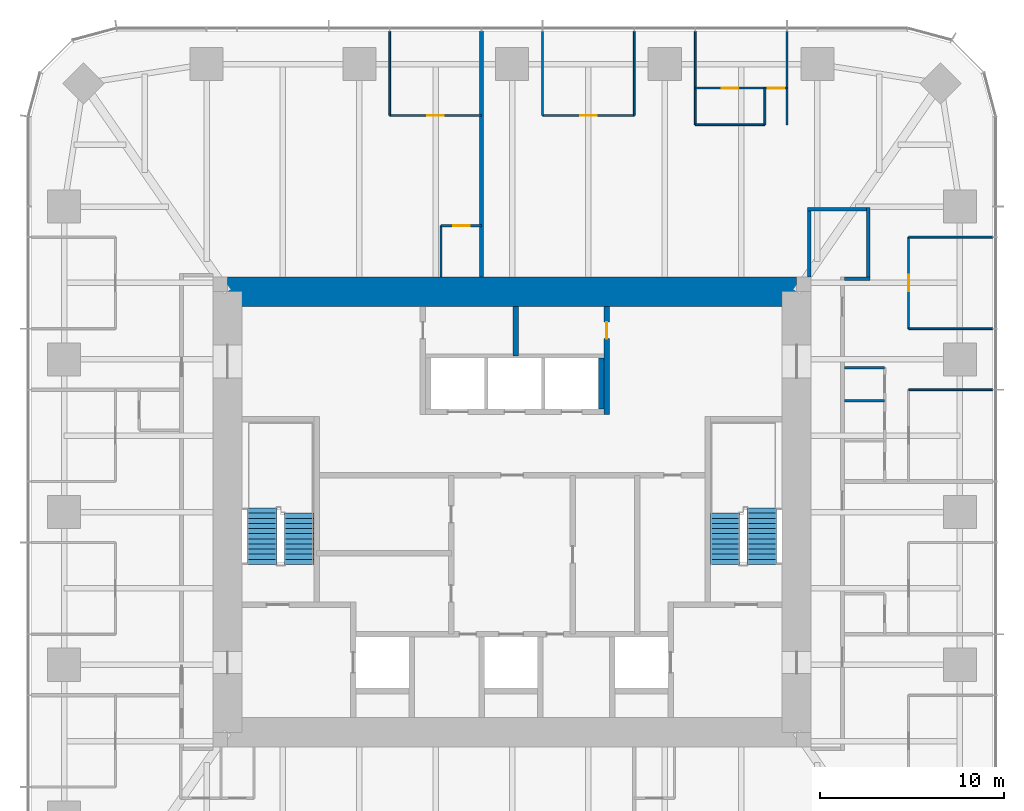
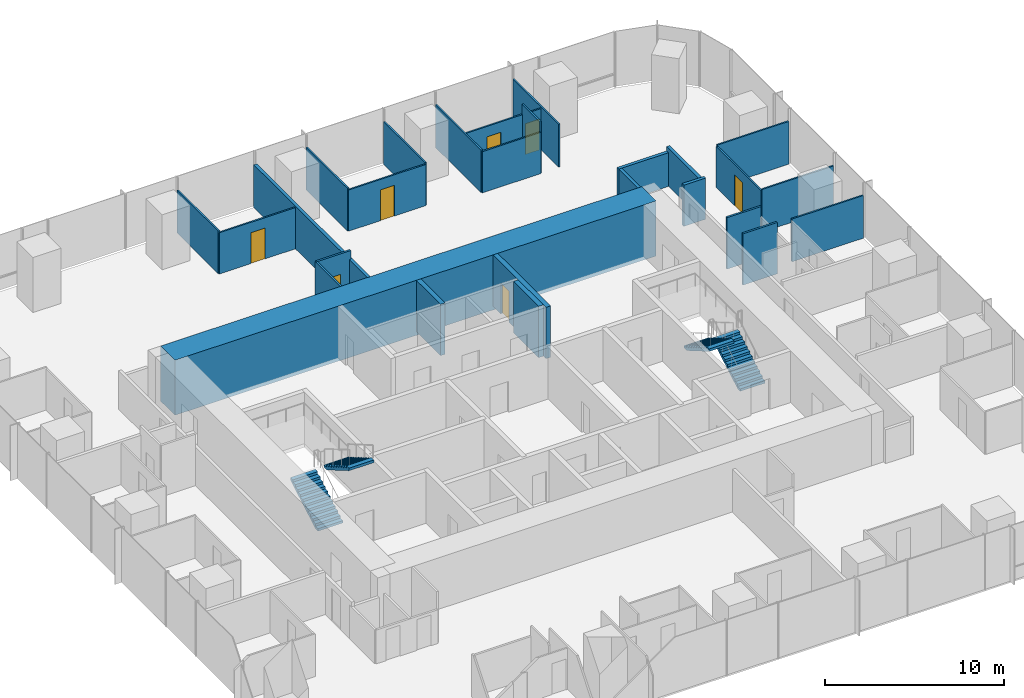
# One storey, part 11 of 12: 27 walls, 7 doors, 4 stair flights, 7 openings, 2 elements without a shape of their own.
"""IFC4 building model written with IfcOpenShell, lengths in metres."""

from ifc_helpers import new_model, si_unit, direction, frame, frame_2d, origin, place, context, subcontext, project, spatial, polyline, rectangle, outline, extrude, material, layer, layer_set, type_object, element, fill, aggregate, save


model = new_model("IFC4")

# Units and contexts
model_context = context("Model", 3, precision=1e-05, world=origin(), true_north=direction((0.0, 1.0)))
body_context = subcontext(model_context, "Body", "Model", "MODEL_VIEW")
ifc_project = project(units=[si_unit("LENGTHUNIT", "METRE"), si_unit("AREAUNIT", "SQUARE_METRE"), si_unit("VOLUMEUNIT", "CUBIC_METRE"), si_unit("PLANEANGLEUNIT", "RADIAN"), si_unit("MASSUNIT", "GRAM", prefix="KILO")], contexts=[model_context])

# Site, building, storey
site_placement = place(None, origin())
site = spatial("IfcSite", under=ifc_project, at=site_placement, CompositionType="ELEMENT")
building_placement = place(site_placement, origin())
building = spatial("IfcBuilding", under=site, at=building_placement, Name="Khuree Lantern Residences", CompositionType="ELEMENT")
storey_placement = place(building_placement, frame((0.0, 0.0, 225.75)))
storey = spatial("IfcBuildingStorey", under=building, at=storey_placement, Name="L56", CompositionType="ELEMENT", Elevation=225.75)

# Walls
ifc_material_1 = material(Name="Moisture-resistant gypsum board on steel studs", Category="steel")
ifc_layer_1 = layer(ifc_material_1, 0.125)
ifc_layer_set_1 = layer_set([ifc_layer_1], Name="BATHROOM WALL BTW125")
wall_type_1 = type_object("IfcWallType", Name="BATHROOM WALL BTW125", PredefinedType="PARTITIONING", material=ifc_layer_set_1)
for number, where, z_axis, x_axis, name in (
    (1, (18.10009765625, 6.06396484375, 0.0), (0.0, 0.0, 1.0), (1.0, 0.0, 0.0), "L56 BATHROOM WALL 02"),
    (2, (18.10009765625, 7.864013671875, 0.0), (0.0, 0.0, 1.0), (1.0, 0.0, 0.0), "L56 BATHROOM WALL 02"),
):
    element("IfcWall", number, at=place(storey_placement, frame(where, z_axis=z_axis, x_axis=x_axis)), inside=storey, type_object=wall_type_1, Name=name, PredefinedType="PARTITIONING", context=body_context, shape_type="SweptSolid", body=[
        extrude(rectangle(XDim=2.199951171875, YDim=0.125, at=frame_2d((1.10009765625, 0.0))), origin(), (0.0, 0.0, 1.0), 3.5),
    ])

# Wall, opening, door
wall_1_placement = place(storey_placement, frame((-1.6640625, 15.60009765625, 0.0), z_axis=(0.0, 0.0, 1.0), x_axis=(-1.0, 0.0, 0.0)))
wall_1 = element("IfcWall", 3, at=wall_1_placement, inside=storey, type_object=wall_type_1, Name="L56 BATHROOM WALL 03", PredefinedType="PARTITIONING", context=body_context, shape_type="SweptSolid", body=[
    extrude(rectangle(XDim=2.199951171875, YDim=0.125, at=frame_2d((1.10009765625, 0.0))), origin(), (0.0, 0.0, 1.0), 3.5),
])
opening_1_placement = place(wall_1_placement, frame((0.64990234375, 0.0, 0.0)))
opening_1 = element("IfcOpeningElement", 4, at=opening_1_placement, cuts=wall_1, Name="Opening 56-036", PredefinedType="OPENING", context=body_context, shape_type="SweptSolid", body=[
    extrude(rectangle(XDim=0.89990234375, YDim=2.10009765625, at=frame_2d((0.449951171875, 1.050048828125))), frame((0.0, 0.072509765625, 0.0), z_axis=(0.0, -1.0, 0.0), x_axis=(1.0, 0.0, 0.0)), (0.0, 0.0, 1.0), 0.14501953125),
])
ifc_material_2 = material(Name="Timber door leaf in hardwood frame", Category="wood")
door_type_1 = type_object("IfcDoorType", Name="BATHROOM DOOR 900X2100", OperationType="SINGLE_SWING_LEFT", PredefinedType="DOOR", material=ifc_material_2)
door_1_placement = place(opening_1_placement, origin())
door_1 = element("IfcDoor", 5, at=door_1_placement, inside=storey, type_object=door_type_1, Name="Bathroom door 56-036", OperationType="SINGLE_SWING_LEFT", OverallHeight=2.10009765625, OverallWidth=0.89990234375, PredefinedType="DOOR", context=body_context, shape_type="SweptSolid", body=[
    extrude(rectangle(XDim=0.89990234375, YDim=2.10009765625, at=frame_2d((0.449951171875, 1.050048828125))), frame((0.0, 0.02490234375, 0.0), z_axis=(0.0, -1.0, 0.0), x_axis=(1.0, 0.0, 0.0)), (0.0, 0.0, 1.0), 0.050048828125),
])
fill(opening_1, door_1)

# Walls
wall_2_placement = place(storey_placement, frame((-3.864013671875, 12.800048828125, 0.0), z_axis=(0.0, 0.0, 1.0), x_axis=(0.0, 1.0, 0.0)))
element("IfcWall", 6, at=wall_2_placement, inside=storey, type_object=wall_type_1, Name="L56 BATHROOM WALL 03", PredefinedType="PARTITIONING", context=body_context, shape_type="SweptSolid", body=[
    extrude(rectangle(XDim=2.800048828125, YDim=0.125, at=frame_2d((1.39990234375, 0.0))), origin(), (0.0, 0.0, 1.0), 3.5),
])
ifc_material_3 = material(Name="Dense concrete blockwork", Category="masonry")
ifc_layer_2 = layer(ifc_material_3, 0.300048828125)
ifc_layer_set_2 = layer_set([ifc_layer_2], Name="CORE PARTITION WALL CPW300 EI 120")
wall_type_2 = type_object("IfcWallType", Name="CORE PARTITION WALL CPW300 EI 120", PredefinedType="PARTITIONING", material=ifc_layer_set_2)
wall_3_placement = place(storey_placement, frame((4.85009765625, 5.60009765625, 0.0), z_axis=(0.0, 0.0, 1.0), x_axis=(0.0, 1.0, 0.0)))
element("IfcWall", 7, at=wall_3_placement, inside=storey, type_object=wall_type_2, Name="L56 CORE WALL PHE", PredefinedType="PARTITIONING", context=body_context, shape_type="SweptSolid", body=[
    extrude(rectangle(XDim=2.7998046875, YDim=0.300048828125, at=frame_2d((1.39990234375, 0.0))), origin(), (0.0, 0.0, 1.0), 3.5),
])

# Wall, opening, door
wall_4_placement = place(storey_placement, frame((5.14990234375, 5.300048828125, 0.0), z_axis=(0.0, 0.0, 1.0), x_axis=(0.0, 1.0, 0.0)))
wall_4 = element("IfcWall", 8, at=wall_4_placement, inside=storey, type_object=wall_type_2, Name="L56 CORE WALL NE", PredefinedType="PARTITIONING", context=body_context, shape_type="SweptSolid", body=[
    extrude(rectangle(XDim=5.89990234375, YDim=0.300048828125, at=frame_2d((2.949951171875, 0.0))), origin(), (0.0, 0.0, 1.0), 3.5),
])
opening_2_placement = place(wall_4_placement, frame((4.14990234375, 0.0, 0.0)))
opening_2 = element("IfcOpeningElement", 9, at=opening_2_placement, cuts=wall_4, Name="Opening 56-021", PredefinedType="OPENING", context=body_context, shape_type="SweptSolid", body=[
    extrude(rectangle(XDim=0.89990234375, YDim=2.10009765625, at=frame_2d((0.449951171875, 1.050048828125))), frame((0.0, 0.16015625, 0.0), z_axis=(0.0, -1.0, 0.0), x_axis=(1.0, 0.0, 0.0)), (0.0, 0.0, 1.0), 0.320068359375),
])
door_type_2 = type_object("IfcDoorType", Name="DOOR 900X2100", OperationType="SINGLE_SWING_LEFT", PredefinedType="DOOR", material=ifc_material_2)
door_2_placement = place(opening_2_placement, origin())
door_2 = element("IfcDoor", 10, at=door_2_placement, inside=storey, type_object=door_type_2, Name="Building management room door 56-021", OperationType="SINGLE_SWING_LEFT", OverallHeight=2.10009765625, OverallWidth=0.89990234375, PredefinedType="DOOR", context=body_context, shape_type="SweptSolid", body=[
    extrude(rectangle(XDim=0.89990234375, YDim=2.10009765625, at=frame_2d((0.449951171875, 1.050048828125))), frame((0.0, 0.02490234375, 0.0), z_axis=(0.0, -1.0, 0.0), x_axis=(1.0, 0.0, 0.0)), (0.0, 0.0, 1.0), 0.050048828125),
])
fill(opening_2, door_2)

# Walls
wall_5_placement = place(storey_placement, frame((0.199951171875, 8.5, 0.0), z_axis=(0.0, 0.0, 1.0), x_axis=(0.0, 1.0, 0.0)))
element("IfcWall", 11, at=wall_5_placement, inside=storey, type_object=wall_type_2, Name="L56 CORE WALL NX", PredefinedType="PARTITIONING", context=body_context, shape_type="SweptSolid", body=[
    extrude(rectangle(XDim=2.699951171875, YDim=0.300048828125, at=frame_2d((1.35009765625, 0.0))), origin(), (0.0, 0.0, 1.0), 3.5),
])
ifc_material_4 = material(Name="Gypsum board on steel studs", Category="steel")
ifc_layer_3 = layer(ifc_material_4, 0.199951171875)
ifc_layer_set_3 = layer_set([ifc_layer_3], Name="CORRIDOR WALL CRW200 EI 60")
wall_type_3 = type_object("IfcWallType", Name="CORRIDOR WALL CRW200 EI 60", PredefinedType="PARTITIONING", material=ifc_layer_set_3)
wall_6_placement = place(storey_placement, frame((18.10009765625, 12.699951171875, 0.0), z_axis=(0.0, 0.0, 1.0), x_axis=(1.0, 0.0, 0.0)))
element("IfcWall", 12, at=wall_6_placement, inside=storey, type_object=wall_type_3, Name="L56 RESIDENTS LOUNGE WALL", PredefinedType="PARTITIONING", context=body_context, shape_type="SweptSolid", body=[
    extrude(rectangle(XDim=1.39990234375, YDim=0.199951171875, at=frame_2d((0.699951171875, 0.0))), origin(), (0.0, 0.0, 1.0), 2.81005859375),
])
wall_7_placement = place(storey_placement, frame((19.39990234375, 12.60009765625, 0.0), z_axis=(0.0, 0.0, 1.0), x_axis=(0.0, 1.0, 0.0)))
element("IfcWall", 13, at=wall_7_placement, inside=storey, type_object=wall_type_3, Name="L56 RESIDENTS LOUNGE WALL", PredefinedType="PARTITIONING", context=body_context, shape_type="SweptSolid", body=[
    extrude(rectangle(XDim=4.0, YDim=0.199951171875, at=frame_2d((2.0, 0.0))), origin(), (0.0, 0.0, 1.0), 2.60009765625),
])
wall_8_placement = place(storey_placement, frame((19.300048828125, 16.5, 0.0), z_axis=(0.0, 0.0, 1.0), x_axis=(-1.0, 0.0, 0.0)))
element("IfcWall", 14, at=wall_8_placement, inside=storey, type_object=wall_type_3, Name="L56 RESIDENTS LOUNGE WALL", PredefinedType="PARTITIONING", context=body_context, shape_type="SweptSolid", body=[
    extrude(rectangle(XDim=3.199951171875, YDim=0.199951171875, at=frame_2d((1.60009765625, 0.0))), origin(), (0.0, 0.0, 1.0), 2.300048828125),
])
wall_9_placement = place(storey_placement, frame((16.199951171875, 16.60009765625, 0.0), z_axis=(0.0, 0.0, 1.0), x_axis=(0.0, -1.0, 0.0)))
element("IfcWall", 15, at=wall_9_placement, inside=storey, type_object=wall_type_3, Name="L56 RESIDENTS LOUNGE WALL", PredefinedType="PARTITIONING", context=body_context, shape_type="SweptSolid", body=[
    extrude(rectangle(XDim=3.800048828125, YDim=0.199951171875, at=frame_2d((1.89990234375, 0.0))), origin(), (0.0, 0.0, 1.0), 2.300048828125),
])
ifc_material_5 = material(Name="Concrete C50/60", Category="concrete")
ifc_layer_4 = layer(ifc_material_5, 1.60009765625)
ifc_layer_set_4 = layer_set([ifc_layer_4], Name="CW1600-C50 CORE WALL C50 1600")
wall_type_4 = type_object("IfcWallType", Name="CW1600-C50 CORE WALL C50 1600", PredefinedType="SHEAR", material=ifc_layer_set_4)
wall_10_placement = place(storey_placement, frame((-15.5, 12.0, -0.25), z_axis=(0.0, 0.0, 1.0), x_axis=(1.0, 0.0, 0.0)))
element("IfcWall", 16, at=wall_10_placement, inside=storey, type_object=wall_type_4, Name="Core wall N", PredefinedType="SHEAR", context=body_context, shape_type="SweptSolid", body=[
    extrude(rectangle(XDim=31.0, YDim=1.60009765625, at=frame_2d((15.5, 0.0))), origin(), (0.0, 0.0, 1.0), 3.75),
])
ifc_layer_5 = layer(ifc_material_4, 0.199951171875)
ifc_layer_set_5 = layer_set([ifc_layer_5], Name="DEMISING WALL DMW200 EI 90")
wall_type_5 = type_object("IfcWallType", Name="DEMISING WALL DMW200 EI 90", PredefinedType="PARTITIONING", material=ifc_layer_set_5)
wall_11_placement = place(storey_placement, frame((-1.6640625, 12.800048828125, 0.0), z_axis=(0.0, 0.0, 1.0), x_axis=(0.0, 1.0, 0.0)))
element("IfcWall", 17, at=wall_11_placement, inside=storey, type_object=wall_type_5, Name="L56 DEMISING WALL 03", PredefinedType="PARTITIONING", context=body_context, shape_type="SweptSolid", body=[
    extrude(rectangle(XDim=13.39990234375, YDim=0.199951171875, at=frame_2d((6.699951171875, 0.0))), origin(), (0.0, 0.0, 1.0), 2.909912109375),
])
ifc_layer_6 = layer(ifc_material_4, 0.10009765625)
ifc_layer_set_6 = layer_set([ifc_layer_6], Name="PARTITION PT100")
wall_type_6 = type_object("IfcWallType", Name="PARTITION PT100", PredefinedType="PARTITIONING", material=ifc_layer_set_6)
for number, where, z_axis, x_axis, name in (
    (18, (21.60009765625, 6.656005859375, 0.0), (0.0, 0.0, 1.0), (1.0, 0.0, 0.0), "L56 PARTITION 02"),
    (19, (21.60009765625, 9.98388671875, 0.0), (0.0, 0.0, 1.0), (1.0, 0.0, 0.0), "L56 PARTITION 02"),
    (20, (21.60009765625, 14.97607421875, 0.0), (0.0, 0.0, 1.0), (1.0, 0.0, 0.0), "L56 PARTITION 02"),
):
    element("IfcWall", number, at=place(storey_placement, frame(where, z_axis=z_axis, x_axis=x_axis)), inside=storey, type_object=wall_type_6, Name=name, PredefinedType="PARTITIONING", context=body_context, shape_type="SweptSolid", body=[
        extrude(rectangle(XDim=4.599853515625, YDim=0.10009765625, at=frame_2d((2.2998046875, 0.0))), origin(), (0.0, 0.0, 1.0), 2.909912109375),
    ])
for number, where, z_axis, x_axis, name in (
    (21, (14.97607421875, 21.094970703125, 0.0), (0.0, 0.0, 1.0), (0.0, 1.0, 0.0), "L56 PARTITION 02"),
    (22, (9.98388671875, 21.094970703125, 0.0), (0.0, 0.0, 1.0), (0.0, 1.0, 0.0), "L56 PARTITION 02"),
):
    element("IfcWall", number, at=place(storey_placement, frame(where, z_axis=z_axis, x_axis=x_axis)), inside=storey, type_object=wall_type_6, Name=name, PredefinedType="PARTITIONING", context=body_context, shape_type="SweptSolid", body=[
        extrude(rectangle(XDim=5.10498046875, YDim=0.10009765625, at=frame_2d((2.552490234375, 0.0))), origin(), (0.0, 0.0, 1.0), 2.909912109375),
    ])
for number, where, z_axis, x_axis, name in (
    (23, (6.656005859375, 21.60009765625, 0.0), (0.0, 0.0, 1.0), (0.0, 1.0, 0.0), "L56 PARTITION 02"),
    (24, (1.6640625, 21.60009765625, 0.0), (0.0, 0.0, 1.0), (0.0, 1.0, 0.0), "L56 PARTITION 02"),
    (25, (-6.656005859375, 21.60009765625, 0.0), (0.0, 0.0, 1.0), (0.0, 1.0, 0.0), "L56 PARTITION 03"),
):
    element("IfcWall", number, at=place(storey_placement, frame(where, z_axis=z_axis, x_axis=x_axis)), inside=storey, type_object=wall_type_6, Name=name, PredefinedType="PARTITIONING", context=body_context, shape_type="SweptSolid", body=[
        extrude(rectangle(XDim=4.599853515625, YDim=0.10009765625, at=frame_2d((2.2998046875, 0.0))), origin(), (0.0, 0.0, 1.0), 2.909912109375),
    ])

# Wall, opening, door
wall_12_placement = place(storey_placement, frame((21.60009765625, 9.98388671875, 0.0), z_axis=(0.0, 0.0, 1.0), x_axis=(0.0, 1.0, 0.0)))
wall_12 = element("IfcWall", 26, at=wall_12_placement, inside=storey, type_object=wall_type_6, Name="L56 PARTITION 02", PredefinedType="PARTITIONING", context=body_context, shape_type="SweptSolid", body=[
    extrude(rectangle(XDim=4.9921875, YDim=0.10009765625, at=frame_2d((2.49609375, 0.0))), origin(), (0.0, 0.0, 1.0), 2.81005859375),
])
opening_3_placement = place(wall_12_placement, frame((2.0458984375, 0.0, 0.0)))
opening_3 = element("IfcOpeningElement", 27, at=opening_3_placement, cuts=wall_12, Name="Opening 56-026", PredefinedType="OPENING", context=body_context, shape_type="SweptSolid", body=[
    extrude(rectangle(XDim=0.89990234375, YDim=2.10009765625, at=frame_2d((0.449951171875, 1.050048828125))), frame((0.0, 0.06005859375, 0.0), z_axis=(0.0, -1.0, 0.0), x_axis=(1.0, 0.0, 0.0)), (0.0, 0.0, 1.0), 0.1201171875),
])
door_type_3 = type_object("IfcDoorType", Name="BEDROOM DOOR 900X2100", OperationType="SINGLE_SWING_LEFT", PredefinedType="DOOR", material=ifc_material_2)
door_3_placement = place(opening_3_placement, origin())
door_3 = element("IfcDoor", 28, at=door_3_placement, inside=storey, type_object=door_type_3, Name="Bedroom door 56-026", OperationType="SINGLE_SWING_LEFT", OverallHeight=2.10009765625, OverallWidth=0.89990234375, PredefinedType="DOOR", context=body_context, shape_type="SweptSolid", body=[
    extrude(rectangle(XDim=0.89990234375, YDim=2.10009765625, at=frame_2d((0.449951171875, 1.050048828125))), frame((0.0, 0.02490234375, 0.0), z_axis=(0.0, -1.0, 0.0), x_axis=(1.0, 0.0, 0.0)), (0.0, 0.0, 1.0), 0.050048828125),
])
fill(opening_3, door_3)

# Wall, openings, doors
wall_13_placement = place(storey_placement, frame((14.97607421875, 23.094970703125, 0.0), z_axis=(0.0, 0.0, 1.0), x_axis=(-1.0, 0.0, 0.0)))
wall_13 = element("IfcWall", 29, at=wall_13_placement, inside=storey, type_object=wall_type_6, Name="L56 PARTITION 02", PredefinedType="PARTITIONING", context=body_context, shape_type="SweptSolid", body=[
    extrude(rectangle(XDim=4.9921875, YDim=0.10009765625, at=frame_2d((2.49609375, 0.0))), origin(), (0.0, 0.0, 1.0), 2.81005859375),
])
opening_4_placement = place(wall_13_placement, frame((0.14990234375, 0.0, 0.0)))
opening_4 = element("IfcOpeningElement", 30, at=opening_4_placement, cuts=wall_13, Name="Opening 56-027", PredefinedType="OPENING", context=body_context, shape_type="SweptSolid", body=[
    extrude(rectangle(XDim=0.89990234375, YDim=2.10009765625, at=frame_2d((0.449951171875, 1.050048828125))), frame((0.0, 0.06005859375, 0.0), z_axis=(0.0, -1.0, 0.0), x_axis=(1.0, 0.0, 0.0)), (0.0, 0.0, 1.0), 0.1201171875),
])
opening_5_placement = place(wall_13_placement, frame((2.64599609375, 0.0, 0.0)))
opening_5 = element("IfcOpeningElement", 31, at=opening_5_placement, cuts=wall_13, Name="Opening 56-028", PredefinedType="OPENING", context=body_context, shape_type="SweptSolid", body=[
    extrude(rectangle(XDim=0.89990234375, YDim=2.10009765625, at=frame_2d((0.449951171875, 1.050048828125))), frame((0.0, 0.06005859375, 0.0), z_axis=(0.0, -1.0, 0.0), x_axis=(1.0, 0.0, 0.0)), (0.0, 0.0, 1.0), 0.1201171875),
])
door_4_placement = place(opening_4_placement, origin())
door_4 = element("IfcDoor", 32, at=door_4_placement, inside=storey, type_object=door_type_3, Name="Bedroom door 56-027", OperationType="SINGLE_SWING_LEFT", OverallHeight=2.10009765625, OverallWidth=0.89990234375, PredefinedType="DOOR", context=body_context, shape_type="SweptSolid", body=[
    extrude(rectangle(XDim=0.89990234375, YDim=2.10009765625, at=frame_2d((0.449951171875, 1.050048828125))), frame((0.0, 0.02490234375, 0.0), z_axis=(0.0, -1.0, 0.0), x_axis=(1.0, 0.0, 0.0)), (0.0, 0.0, 1.0), 0.050048828125),
])
fill(opening_4, door_4)
door_5_placement = place(opening_5_placement, origin())
door_5 = element("IfcDoor", 33, at=door_5_placement, inside=storey, type_object=door_type_2, Name="Wardrobe door 56-028", OperationType="SINGLE_SWING_LEFT", OverallHeight=2.10009765625, OverallWidth=0.89990234375, PredefinedType="DOOR", context=body_context, shape_type="SweptSolid", body=[
    extrude(rectangle(XDim=0.89990234375, YDim=2.10009765625, at=frame_2d((0.449951171875, 1.050048828125))), frame((0.0, 0.02490234375, 0.0), z_axis=(0.0, -1.0, 0.0), x_axis=(1.0, 0.0, 0.0)), (0.0, 0.0, 1.0), 0.050048828125),
])
fill(opening_5, door_5)

# Walls
wall_14_placement = place(storey_placement, frame((13.77587890625, 21.094970703125, 0.0), z_axis=(0.0, 0.0, 1.0), x_axis=(0.0, 1.0, 0.0)))
element("IfcWall", 34, at=wall_14_placement, inside=storey, type_object=wall_type_6, Name="L56 PARTITION 02", PredefinedType="PARTITIONING", context=body_context, shape_type="SweptSolid", body=[
    extrude(rectangle(XDim=2.0, YDim=0.10009765625, at=frame_2d((1.0, 0.0))), origin(), (0.0, 0.0, 1.0), 3.5),
])
wall_15_placement = place(storey_placement, frame((13.77587890625, 21.094970703125, 0.0), z_axis=(0.0, 0.0, 1.0), x_axis=(-1.0, 0.0, 0.0)))
element("IfcWall", 35, at=wall_15_placement, inside=storey, type_object=wall_type_6, Name="L56 PARTITION 02", PredefinedType="PARTITIONING", context=body_context, shape_type="SweptSolid", body=[
    extrude(rectangle(XDim=3.7919921875, YDim=0.10009765625, at=frame_2d((1.89599609375, 0.0))), origin(), (0.0, 0.0, 1.0), 2.81005859375),
])

# Wall, opening, door
wall_16_placement = place(storey_placement, frame((6.656005859375, 21.60009765625, 0.0), z_axis=(0.0, 0.0, 1.0), x_axis=(-1.0, 0.0, 0.0)))
wall_16 = element("IfcWall", 36, at=wall_16_placement, inside=storey, type_object=wall_type_6, Name="L56 PARTITION 02", PredefinedType="PARTITIONING", context=body_context, shape_type="SweptSolid", body=[
    extrude(rectangle(XDim=4.991943359375, YDim=0.10009765625, at=frame_2d((2.49609375, 0.0))), origin(), (0.0, 0.0, 1.0), 2.81005859375),
])
opening_6_placement = place(wall_16_placement, frame((2.0458984375, 0.0, 0.0)))
opening_6 = element("IfcOpeningElement", 37, at=opening_6_placement, cuts=wall_16, Name="Opening 56-029", PredefinedType="OPENING", context=body_context, shape_type="SweptSolid", body=[
    extrude(rectangle(XDim=0.89990234375, YDim=2.10009765625, at=frame_2d((0.449951171875, 1.050048828125))), frame((0.0, 0.06005859375, 0.0), z_axis=(0.0, -1.0, 0.0), x_axis=(1.0, 0.0, 0.0)), (0.0, 0.0, 1.0), 0.1201171875),
])
door_6_placement = place(opening_6_placement, origin())
door_6 = element("IfcDoor", 38, at=door_6_placement, inside=storey, type_object=door_type_3, Name="Bedroom door 56-029", OperationType="SINGLE_SWING_LEFT", OverallHeight=2.10009765625, OverallWidth=0.89990234375, PredefinedType="DOOR", context=body_context, shape_type="SweptSolid", body=[
    extrude(rectangle(XDim=0.89990234375, YDim=2.10009765625, at=frame_2d((0.449951171875, 1.050048828125))), frame((0.0, 0.02490234375, 0.0), z_axis=(0.0, -1.0, 0.0), x_axis=(1.0, 0.0, 0.0)), (0.0, 0.0, 1.0), 0.050048828125),
])
fill(opening_6, door_6)

wall_17_placement = place(storey_placement, frame((-1.6640625, 21.60009765625, 0.0), z_axis=(0.0, 0.0, 1.0), x_axis=(-1.0, 0.0, 0.0)))
wall_17 = element("IfcWall", 39, at=wall_17_placement, inside=storey, type_object=wall_type_6, Name="L56 PARTITION 03", PredefinedType="PARTITIONING", context=body_context, shape_type="SweptSolid", body=[
    extrude(rectangle(XDim=4.991943359375, YDim=0.10009765625, at=frame_2d((2.49609375, 0.0))), origin(), (0.0, 0.0, 1.0), 2.81005859375),
])
opening_7_placement = place(wall_17_placement, frame((2.0458984375, 0.0, 0.0)))
opening_7 = element("IfcOpeningElement", 40, at=opening_7_placement, cuts=wall_17, Name="Opening 56-034", PredefinedType="OPENING", context=body_context, shape_type="SweptSolid", body=[
    extrude(rectangle(XDim=0.89990234375, YDim=2.10009765625, at=frame_2d((0.449951171875, 1.050048828125))), frame((0.0, 0.06005859375, 0.0), z_axis=(0.0, -1.0, 0.0), x_axis=(1.0, 0.0, 0.0)), (0.0, 0.0, 1.0), 0.1201171875),
])
door_7_placement = place(opening_7_placement, origin())
door_7 = element("IfcDoor", 41, at=door_7_placement, inside=storey, type_object=door_type_3, Name="Bedroom door 56-034", OperationType="SINGLE_SWING_LEFT", OverallHeight=2.10009765625, OverallWidth=0.89990234375, PredefinedType="DOOR", context=body_context, shape_type="SweptSolid", body=[
    extrude(rectangle(XDim=0.89990234375, YDim=2.10009765625, at=frame_2d((0.449951171875, 1.050048828125))), frame((0.0, 0.02490234375, 0.0), z_axis=(0.0, -1.0, 0.0), x_axis=(1.0, 0.0, 0.0)), (0.0, 0.0, 1.0), 0.050048828125),
])
fill(opening_7, door_7)

# Stair, stair flights
ifc_material_6 = material(Name="Concrete C40/50", Category="concrete")
stair_type = type_object("IfcStairType", Name="STAIR ST1 HALF TURN 3600", PredefinedType="HALF_TURN_STAIR", material=ifc_material_6)
stair_1_placement = place(storey_placement, origin())
stair_1 = element("IfcStair", 42, at=stair_1_placement, inside=storey, type_object=stair_type, Name="Stair ST1", PredefinedType="HALF_TURN_STAIR")
stair_flight_type = type_object("IfcStairFlightType", Name="STAIR FLIGHT SF1 1600", PredefinedType="STRAIGHT", material=ifc_material_6)
stair_flight_1_placement = place(storey_placement, frame((-13.60009765625, -2.860107421875, 0.0), z_axis=(0.0, 0.0, 1.0), x_axis=(0.0, 1.0, 0.0)))
stair_flight_1 = element("IfcStairFlight", 43, at=stair_flight_1_placement, type_object=stair_flight_type, Name="ST1 flight 1", NumberOfRisers=12, NumberOfTreads=11, PredefinedType="STRAIGHT", RiserHeight=0.163043478, TreadLength=0.28, context=body_context, shape_type="SweptSolid", body=[
    extrude(outline(polyline([(0.0, 0.0), (0.0, 0.1630859375), (0.280029296875, 0.1630859375), (0.280029296875, 0.326171875), (0.56005859375, 0.326171875), (0.56005859375, 0.489013671875), (0.840087890625, 0.489013671875), (0.840087890625, 0.652099609375), (1.1201171875, 0.652099609375), (1.1201171875, 0.815185546875), (1.39990234375, 0.815185546875), (1.39990234375, 0.978271484375), (1.679931640625, 0.978271484375), (1.679931640625, 1.141357421875), (1.9599609375, 1.141357421875), (1.9599609375, 1.304443359375), (2.239990234375, 1.304443359375), (2.239990234375, 1.46728515625), (2.52001953125, 1.46728515625), (2.52001953125, 1.63037109375), (2.800048828125, 1.63037109375), (2.800048828125, 1.79345703125), (3.080078125, 1.79345703125), (3.080078125, 1.95654296875), (3.080078125, 1.6201171875), (0.2978515625, 0.0), (0.0, 0.0)])), frame((0.0, 0.800048828125, 0.0), z_axis=(0.0, -1.0, 0.0), x_axis=(1.0, 0.0, 0.0)), (0.0, 0.0, 1.0), 1.60009765625),
])
stair_flight_2_placement = place(storey_placement, frame((-11.60009765625, -0.06005859375, 1.95654296875), z_axis=(0.0, 0.0, 1.0), x_axis=(0.0, -1.0, 0.0)))
stair_flight_2 = element("IfcStairFlight", 44, at=stair_flight_2_placement, type_object=stair_flight_type, Name="ST1 flight 2", NumberOfRisers=11, NumberOfTreads=10, PredefinedType="STRAIGHT", RiserHeight=0.163043478, TreadLength=0.28, context=body_context, shape_type="SweptSolid", body=[
    extrude(outline(polyline([(0.0, 0.0), (0.0, 0.1630859375), (0.280029296875, 0.1630859375), (0.280029296875, 0.326171875), (0.56005859375, 0.326171875), (0.56005859375, 0.489013671875), (0.840087890625, 0.489013671875), (0.840087890625, 0.652099609375), (1.1201171875, 0.652099609375), (1.1201171875, 0.815185546875), (1.39990234375, 0.815185546875), (1.39990234375, 0.978271484375), (1.679931640625, 0.978271484375), (1.679931640625, 1.141357421875), (1.9599609375, 1.141357421875), (1.9599609375, 1.304443359375), (2.239990234375, 1.304443359375), (2.239990234375, 1.46728515625), (2.52001953125, 1.46728515625), (2.52001953125, 1.63037109375), (2.800048828125, 1.63037109375), (2.800048828125, 1.79345703125), (2.800048828125, 1.45703125), (0.2978515625, 0.0), (0.0, 0.0)])), frame((0.0, 0.800048828125, 0.0), z_axis=(0.0, -1.0, 0.0), x_axis=(1.0, 0.0, 0.0)), (0.0, 0.0, 1.0), 1.60009765625),
])
aggregate(stair_1, [stair_flight_1, stair_flight_2])

stair_2_placement = place(storey_placement, origin())
stair_2 = element("IfcStair", 45, at=stair_2_placement, inside=storey, type_object=stair_type, Name="Stair ST2", PredefinedType="HALF_TURN_STAIR")
stair_flight_3_placement = place(storey_placement, frame((13.60009765625, -2.860107421875, 0.0), z_axis=(0.0, 0.0, 1.0), x_axis=(0.0, 1.0, 0.0)))
stair_flight_3 = element("IfcStairFlight", 46, at=stair_flight_3_placement, type_object=stair_flight_type, Name="ST2 flight 1", NumberOfRisers=12, NumberOfTreads=11, PredefinedType="STRAIGHT", RiserHeight=0.163043478, TreadLength=0.28, context=body_context, shape_type="SweptSolid", body=[
    extrude(outline(polyline([(0.0, 0.0), (0.0, 0.1630859375), (0.280029296875, 0.1630859375), (0.280029296875, 0.326171875), (0.56005859375, 0.326171875), (0.56005859375, 0.489013671875), (0.840087890625, 0.489013671875), (0.840087890625, 0.652099609375), (1.1201171875, 0.652099609375), (1.1201171875, 0.815185546875), (1.39990234375, 0.815185546875), (1.39990234375, 0.978271484375), (1.679931640625, 0.978271484375), (1.679931640625, 1.141357421875), (1.9599609375, 1.141357421875), (1.9599609375, 1.304443359375), (2.239990234375, 1.304443359375), (2.239990234375, 1.46728515625), (2.52001953125, 1.46728515625), (2.52001953125, 1.63037109375), (2.800048828125, 1.63037109375), (2.800048828125, 1.79345703125), (3.080078125, 1.79345703125), (3.080078125, 1.95654296875), (3.080078125, 1.6201171875), (0.2978515625, 0.0), (0.0, 0.0)])), frame((0.0, 0.800048828125, 0.0), z_axis=(0.0, -1.0, 0.0), x_axis=(1.0, 0.0, 0.0)), (0.0, 0.0, 1.0), 1.60009765625),
])
stair_flight_4_placement = place(storey_placement, frame((11.60009765625, -0.06005859375, 1.95654296875), z_axis=(0.0, 0.0, 1.0), x_axis=(0.0, -1.0, 0.0)))
stair_flight_4 = element("IfcStairFlight", 47, at=stair_flight_4_placement, type_object=stair_flight_type, Name="ST2 flight 2", NumberOfRisers=11, NumberOfTreads=10, PredefinedType="STRAIGHT", RiserHeight=0.163043478, TreadLength=0.28, context=body_context, shape_type="SweptSolid", body=[
    extrude(outline(polyline([(0.0, 0.0), (0.0, 0.1630859375), (0.280029296875, 0.1630859375), (0.280029296875, 0.326171875), (0.56005859375, 0.326171875), (0.56005859375, 0.489013671875), (0.840087890625, 0.489013671875), (0.840087890625, 0.652099609375), (1.1201171875, 0.652099609375), (1.1201171875, 0.815185546875), (1.39990234375, 0.815185546875), (1.39990234375, 0.978271484375), (1.679931640625, 0.978271484375), (1.679931640625, 1.141357421875), (1.9599609375, 1.141357421875), (1.9599609375, 1.304443359375), (2.239990234375, 1.304443359375), (2.239990234375, 1.46728515625), (2.52001953125, 1.46728515625), (2.52001953125, 1.63037109375), (2.800048828125, 1.63037109375), (2.800048828125, 1.79345703125), (2.800048828125, 1.45703125), (0.2978515625, 0.0), (0.0, 0.0)])), frame((0.0, 0.800048828125, 0.0), z_axis=(0.0, -1.0, 0.0), x_axis=(1.0, 0.0, 0.0)), (0.0, 0.0, 1.0), 1.60009765625),
])
aggregate(stair_2, [stair_flight_3, stair_flight_4])

save(model, "model.ifc")
